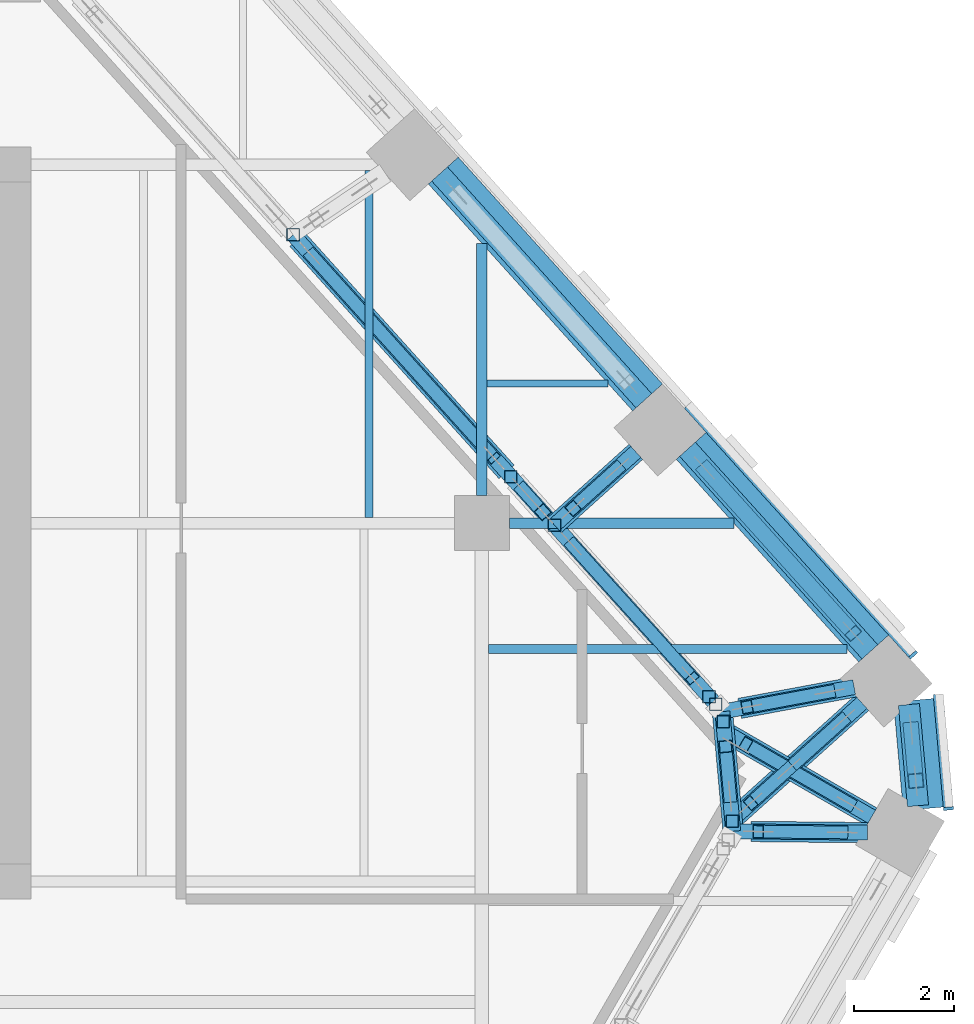
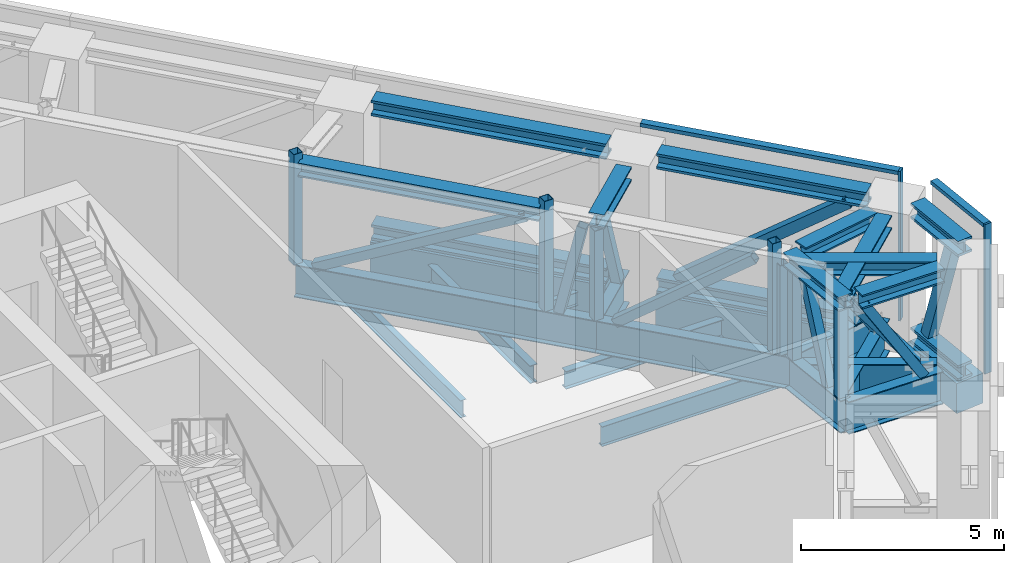
# One storey, part 12 of 26: 44 members, 8 beams, 2 elements without a shape of their own.
"""IFC4 building model written with IfcOpenShell, lengths in metres."""

from ifc_helpers import new_model, si_unit, direction, frame, origin, origin_2d, place, context, subcontext, project, spatial, rectangle, hollow_rectangle, i_section, extrude, material, layer, layer_set, material_profile, profile_set, type_object, element, aggregate, save


model = new_model("IFC4")

# Units and contexts
model_context = context("Model", 3, precision=1e-05, world=origin(), true_north=direction((0.0, 1.0)))
body_context = subcontext(model_context, "Body", "Model", "MODEL_VIEW")
ifc_project = project(units=[si_unit("LENGTHUNIT", "METRE"), si_unit("AREAUNIT", "SQUARE_METRE"), si_unit("VOLUMEUNIT", "CUBIC_METRE"), si_unit("PLANEANGLEUNIT", "RADIAN"), si_unit("MASSUNIT", "GRAM", prefix="KILO")], contexts=[model_context])

# Site, building, storey
site_placement = place(None, origin())
site = spatial("IfcSite", under=ifc_project, at=site_placement, CompositionType="ELEMENT")
building_placement = place(site_placement, origin())
building = spatial("IfcBuilding", under=site, at=building_placement, Name="Isthmus Gate Tower", CompositionType="ELEMENT")
storey_placement = place(building_placement, frame((0.0, 0.0, 207.300048828125)))
storey = spatial("IfcBuildingStorey", under=building, at=storey_placement, Name="L52", CompositionType="ELEMENT", Elevation=207.300048828125)

# Members
ifc_material_1 = material(Name="Structural steel ASTM A913 Gr 65", Category="steel")
ifc_material_profile_1 = material_profile(ifc_material_1, i_section(OverallWidth=0.42236328125, OverallDepth=0.46337890625, WebThickness=0.04443359375, FlangeThickness=0.072998046875, at=origin_2d()), Name="W14X398")
ifc_profile_set_1 = profile_set([ifc_material_profile_1], Name="Structural steel ASTM A913 Gr 65")
member_type_1 = type_object("IfcMemberType", Name="BELT TRUSS CHORD W14X398", PredefinedType="CHORD", material=ifc_profile_set_1)
for number, where, z_axis, x_axis, name in (
    (1, (23.156005859375, 14.46630859375, 0.231689453125), (0.669119737495, -0.743154611703, 0.0), (0.743154611703, 0.669119737495, 0.0), "str-belt03-L52-01"),
    (2, (23.156005859375, 14.46630859375, 3.96826171875), (0.669119737495, -0.743154611703, 0.0), (0.743154611703, 0.669119737495, 0.0), "str-belt03-L52-02"),
):
    element("IfcMember", number, at=place(storey_placement, frame(where, z_axis=z_axis, x_axis=x_axis)), inside=storey, type_object=member_type_1, Name=name, PredefinedType="CHORD", context=body_context, shape_type="SweptSolid", body=[
        extrude(i_section(OverallWidth=0.42236328125, OverallDepth=0.46337890625, WebThickness=0.04443359375, FlangeThickness=0.072998046875, at=origin_2d()), origin(), (0.0, 0.0, 1.0), 6.0908203125),
    ])
for number, where, z_axis, x_axis, name in (
    (3, (28.101318359375, 8.973876953125, 0.231689453125), (0.669140732593, -0.74313570765, 0.0), (0.74313570765, 0.669140732593, 0.0), "str-belt04-L52-01"),
    (4, (28.101318359375, 8.973876953125, 3.96826171875), (0.669140732593, -0.74313570765, 0.0), (0.74313570765, 0.669140732593, 0.0), "str-belt04-L52-02"),
):
    element("IfcMember", number, at=place(storey_placement, frame(where, z_axis=z_axis, x_axis=x_axis)), inside=storey, type_object=member_type_1, Name=name, PredefinedType="CHORD", context=body_context, shape_type="SweptSolid", body=[
        extrude(i_section(OverallWidth=0.42236328125, OverallDepth=0.46337890625, WebThickness=0.04443359375, FlangeThickness=0.072998046875, at=origin_2d()), origin(), (0.0, 0.0, 1.0), 5.440673828125),
    ])
for number, where, z_axis, x_axis, name in (
    (5, (32.51904296875, 3.880859375, 0.231689453125), (0.089330774172, -0.996002014449, 0.0), (0.996002014449, 0.089330774172, 0.0), "str-belt05-L52-01"),
    (6, (32.51904296875, 3.880859375, 3.96826171875), (0.089330774172, -0.996002014449, 0.0), (0.996002014449, 0.089330774172, 0.0), "str-belt05-L52-02"),
):
    element("IfcMember", number, at=place(storey_placement, frame(where, z_axis=z_axis, x_axis=x_axis)), inside=storey, type_object=member_type_1, Name=name, PredefinedType="CHORD", context=body_context, shape_type="SweptSolid", body=[
        extrude(i_section(OverallWidth=0.42236328125, OverallDepth=0.46337890625, WebThickness=0.04443359375, FlangeThickness=0.072998046875, at=origin_2d()), origin(), (0.0, 0.0, 1.0), 2.02783203125),
    ])

# Curtain wall, member
ifc_material_2 = material(Name="Aluminium, pale champagne anodised", Category="aluminium")
ifc_layer = layer(ifc_material_2, 0.199951171875)
ifc_layer_set = layer_set([ifc_layer], Name="CW-2 LOUVRE CURTAIN WALL 200 DEEP")
curtain_wall_type = type_object("IfcCurtainWallType", Name="CW-2 LOUVRE CURTAIN WALL 200 DEEP", PredefinedType="NOTDEFINED", material=ifc_layer_set)
curtain_wall_1_placement = place(storey_placement, origin())
curtain_wall_1 = element("IfcCurtainWall", 7, at=curtain_wall_1_placement, inside=storey, type_object=curtain_wall_type, Name="CW-2 SE-NE L52", PredefinedType="NOTDEFINED")
ifc_material_3 = material(Name="Aluminium, pale champagne anodised", Category="aluminium")
ifc_material_profile_2 = material_profile(ifc_material_3, rectangle(XDim=0.06005859375, YDim=0.199951171875, at=origin_2d()), Name="60x200")
ifc_profile_set_2 = profile_set([ifc_material_profile_2], Name="Aluminium, pale champagne anodised")
member_type_2 = type_object("IfcMemberType", Name="CW-2 MULLION 60 X 200", PredefinedType="MULLION", material=ifc_profile_set_2)
member_1_placement = place(storey_placement, frame((33.307861328125, 1.804443359375, 0.0), z_axis=(0.0, 0.0, 1.0), x_axis=(-0.089396669717, 0.995996102123, 0.0)))
member_1 = element("IfcMember", 8, at=member_1_placement, type_object=member_type_2, Name="CW-2 mullion", PredefinedType="MULLION", context=body_context, shape_type="SweptSolid", body=[
    extrude(rectangle(XDim=0.06005859375, YDim=0.199951171875, at=origin_2d()), origin(), (0.0, 0.0, 1.0), 4.5),
])

curtain_wall_2_placement = place(storey_placement, origin())
curtain_wall_2 = element("IfcCurtainWall", 9, at=curtain_wall_2_placement, inside=storey, type_object=curtain_wall_type, Name="CW-2 NE L52", PredefinedType="NOTDEFINED")
member_2_placement = place(storey_placement, frame((32.602783203125, 4.871337890625, 0.0), z_axis=(0.0, 0.0, 1.0), x_axis=(-0.669130606359, 0.743144825477, 0.0)))
member_2 = element("IfcMember", 10, at=member_2_placement, type_object=member_type_2, Name="CW-2 mullion", PredefinedType="MULLION", context=body_context, shape_type="SweptSolid", body=[
    extrude(rectangle(XDim=0.06005859375, YDim=0.199951171875, at=origin_2d()), origin(), (0.0, 0.0, 1.0), 4.5),
])

# Member
ifc_material_4 = material(Name="Aluminium, pale champagne anodised", Category="aluminium")
ifc_material_profile_3 = material_profile(ifc_material_4, rectangle(XDim=0.199951171875, YDim=0.110107421875, at=origin_2d()), Name="200x110")
ifc_profile_set_3 = profile_set([ifc_material_profile_3], Name="Aluminium, pale champagne anodised")
member_type_3 = type_object("IfcMemberType", Name="CW-2 TRANSOM 200 X 110", PredefinedType="USERDEFINED", material=ifc_profile_set_3)
member_3_placement = place(storey_placement, frame((33.30517578125, 1.83447265625, 4.445068359375), z_axis=(-0.089395362867, 0.995996219419, 0.0), x_axis=(-0.995996219419, -0.089395362867, 0.0)))
member_3 = element("IfcMember", 11, at=member_3_placement, type_object=member_type_3, Name="CW-2 transom", ObjectType="TRANSOM", PredefinedType="USERDEFINED", context=body_context, shape_type="SweptSolid", body=[
    extrude(rectangle(XDim=0.199951171875, YDim=0.110107421875, at=origin_2d()), origin(), (0.0, 0.0, 1.0), 2.258544921875),
])

aggregate(curtain_wall_1, [member_1, member_3])

member_4_placement = place(storey_placement, frame((32.582763671875, 4.8935546875, 4.445068359375), z_axis=(-0.669138342957, 0.74313785934, 0.0), x_axis=(-0.74313785934, -0.669138342957, 0.0)))
member_4 = element("IfcMember", 12, at=member_4_placement, type_object=member_type_3, Name="CW-2 transom", ObjectType="TRANSOM", PredefinedType="USERDEFINED", context=body_context, shape_type="SweptSolid", body=[
    extrude(rectangle(XDim=0.199951171875, YDim=0.110107421875, at=origin_2d()), origin(), (0.0, 0.0, 1.0), 6.680908203125),
])

aggregate(curtain_wall_2, [member_2, member_4])

# Beams
ifc_material_5 = material(Name="Concrete f'c 60 MPa", Category="concrete")
ifc_material_profile_4 = material_profile(ifc_material_5, rectangle(XDim=0.800048828125, YDim=0.89990234375, at=origin_2d()), Name="RC 800X900")
ifc_profile_set_4 = profile_set([ifc_material_profile_4], Name="Concrete f'c 60 MPa")
beam_type_1 = type_object("IfcBeamType", Name="RC SPANDREL 800 X 900", PredefinedType="SPANDREL", material=ifc_profile_set_4)
beam_1_placement = place(storey_placement, frame((23.230224609375, 14.533203125, -0.449951171875), z_axis=(0.669141874065, -0.743134679835, 0.0), x_axis=(0.743134679835, 0.669141874065, 0.0)))
element("IfcBeam", 13, at=beam_1_placement, inside=storey, type_object=beam_type_1, Name="str-spandrel-L52-03", PredefinedType="SPANDREL", context=body_context, shape_type="SweptSolid", body=[
    extrude(rectangle(XDim=0.800048828125, YDim=0.89990234375, at=origin_2d()), origin(), (0.0, 0.0, 1.0), 6.0908203125),
])
beam_2_placement = place(storey_placement, frame((28.17578125, 9.040771484375, -0.449951171875), z_axis=(0.669140732593, -0.74313570765, 0.0), x_axis=(0.74313570765, 0.669140732593, 0.0)))
element("IfcBeam", 14, at=beam_2_placement, inside=storey, type_object=beam_type_1, Name="str-spandrel-L52-04", PredefinedType="SPANDREL", context=body_context, shape_type="SweptSolid", body=[
    extrude(rectangle(XDim=0.800048828125, YDim=0.89990234375, at=origin_2d()), origin(), (0.0, 0.0, 1.0), 5.440673828125),
])
beam_3_placement = place(storey_placement, frame((32.61181640625, 3.964599609375, -0.449951171875), z_axis=(0.089421511639, -0.995993872098, 0.0), x_axis=(0.995993872098, 0.089421511639, 0.0)))
element("IfcBeam", 15, at=beam_3_placement, inside=storey, type_object=beam_type_1, Name="str-spandrel-L52-05", PredefinedType="SPANDREL", context=body_context, shape_type="SweptSolid", body=[
    extrude(rectangle(XDim=0.800048828125, YDim=0.89990234375, at=origin_2d()), origin(), (0.0, 0.0, 1.0), 2.17333984375),
])
ifc_material_6 = material(Name="Structural steel ASTM A992 Gr 50", Category="steel")
ifc_material_profile_5 = material_profile(ifc_material_6, i_section(OverallWidth=0.1396484375, OverallDepth=0.4033203125, WebThickness=0.00634765625, FlangeThickness=0.010986328125, at=origin_2d()), Name="W16X31")
ifc_profile_set_5 = profile_set([ifc_material_profile_5], Name="Structural steel ASTM A992 Gr 50")
beam_type_2 = type_object("IfcBeamType", Name="STEEL FLOOR BEAM W16X31", PredefinedType="JOIST", material=ifc_profile_set_5)
beam_4_placement = place(storey_placement, frame((24.104736328125, 10.284423828125, -0.501708984375), z_axis=(1.0, 0.0, 0.0), x_axis=(0.0, 1.0, 0.0)))
element("IfcBeam", 16, at=beam_4_placement, inside=storey, type_object=beam_type_2, Name="str-beam-L52-15-00", PredefinedType="JOIST", context=body_context, shape_type="SweptSolid", body=[
    extrude(i_section(OverallWidth=0.1396484375, OverallDepth=0.4033203125, WebThickness=0.00634765625, FlangeThickness=0.010986328125, at=origin_2d()), origin(), (0.0, 0.0, 1.0), 2.412841796875),
])
ifc_material_7 = material(Name="Structural steel ASTM A992 Gr 50", Category="steel")
ifc_material_profile_6 = material_profile(ifc_material_7, i_section(OverallWidth=0.1650390625, OverallDepth=0.52392578125, WebThickness=0.009521484375, FlangeThickness=0.010986328125, at=origin_2d()), Name="W21X44")
ifc_profile_set_6 = profile_set([ifc_material_profile_6], Name="Structural steel ASTM A992 Gr 50")
beam_type_3 = type_object("IfcBeamType", Name="STEEL FLOOR BEAM W21X44", PredefinedType="JOIST", material=ifc_profile_set_6)
beam_5_placement = place(storey_placement, frame((21.75, 7.6142578125, -0.56201171875), z_axis=(0.0, 1.0, 0.0), x_axis=(-1.0, 0.0, 0.0)))
element("IfcBeam", 17, at=beam_5_placement, inside=storey, type_object=beam_type_3, Name="str-beam-L52-13-01", PredefinedType="JOIST", context=body_context, shape_type="SweptSolid", body=[
    extrude(i_section(OverallWidth=0.1650390625, OverallDepth=0.52392578125, WebThickness=0.009521484375, FlangeThickness=0.010986328125, at=origin_2d()), origin(), (0.0, 0.0, 1.0), 6.92138671875),
])
ifc_material_8 = material(Name="Structural steel ASTM A992 Gr 50", Category="steel")
ifc_material_profile_7 = material_profile(ifc_material_8, i_section(OverallWidth=0.177734375, OverallDepth=0.60009765625, WebThickness=0.009521484375, FlangeThickness=0.0126953125, at=origin_2d()), Name="W24X55")
ifc_profile_set_7 = profile_set([ifc_material_profile_7], Name="Structural steel ASTM A992 Gr 50")
beam_type_4 = type_object("IfcBeamType", Name="STEEL FLOOR BEAM W24X55", PredefinedType="JOIST", material=ifc_profile_set_7)
beam_6_placement = place(storey_placement, frame((24.13330078125, 4.987548828125, -0.60009765625), z_axis=(1.0, 0.0, 0.0), x_axis=(0.0, 1.0, 0.0)))
element("IfcBeam", 18, at=beam_6_placement, inside=storey, type_object=beam_type_4, Name="str-beam-L52-16-02", PredefinedType="JOIST", context=body_context, shape_type="SweptSolid", body=[
    extrude(i_section(OverallWidth=0.177734375, OverallDepth=0.60009765625, WebThickness=0.009521484375, FlangeThickness=0.0126953125, at=origin_2d()), origin(), (0.0, 0.0, 1.0), 7.15380859375),
])
ifc_material_9 = material(Name="Structural steel ASTM A992 Gr 50", Category="steel")
ifc_material_profile_8 = material_profile(ifc_material_9, i_section(OverallWidth=0.20947265625, OverallDepth=0.533447265625, WebThickness=0.009521484375, FlangeThickness=0.015869140625, at=origin_2d()), Name="W21X62")
ifc_profile_set_8 = profile_set([ifc_material_profile_8], Name="Structural steel ASTM A992 Gr 50")
beam_type_5 = type_object("IfcBeamType", Name="STEEL GIRDER W21X62", PredefinedType="BEAM", material=ifc_profile_set_8)
beam_7_placement = place(storey_placement, frame((24.550048828125, 7.5, -0.566650390625), z_axis=(1.0, 0.0, 0.0), x_axis=(0.0, 1.0, 0.0)))
element("IfcBeam", 19, at=beam_7_placement, inside=storey, type_object=beam_type_5, Name="str-girder-L52-06", PredefinedType="BEAM", context=body_context, shape_type="SweptSolid", body=[
    extrude(i_section(OverallWidth=0.20947265625, OverallDepth=0.533447265625, WebThickness=0.009521484375, FlangeThickness=0.015869140625, at=origin_2d()), origin(), (0.0, 0.0, 1.0), 4.474853515625),
])
beam_8_placement = place(storey_placement, frame((24.0, 8.050048828125, -0.566650390625), z_axis=(0.0, 1.0, 0.0), x_axis=(-1.0, 0.0, 0.0)))
element("IfcBeam", 20, at=beam_8_placement, inside=storey, type_object=beam_type_5, Name="str-girder-L52-12", PredefinedType="BEAM", context=body_context, shape_type="SweptSolid", body=[
    extrude(i_section(OverallWidth=0.20947265625, OverallDepth=0.533447265625, WebThickness=0.009521484375, FlangeThickness=0.015869140625, at=origin_2d()), origin(), (0.0, 0.0, 1.0), 5.030517578125),
])

# Members
ifc_material_10 = material(Name="Structural steel ASTM A913 Gr 65", Category="steel")
ifc_material_profile_9 = material_profile(ifc_material_10, i_section(OverallWidth=0.406494140625, OverallDepth=0.416015625, WebThickness=0.0302734375, FlangeThickness=0.047607421875, at=origin_2d()), Name="W14X257")
ifc_profile_set_9 = profile_set([ifc_material_profile_9], Name="Structural steel ASTM A913 Gr 65")
member_type_4 = type_object("IfcMemberType", Name="TRANSFER TRUSS CHORD W14X257", PredefinedType="CHORD", material=ifc_profile_set_9)
member_5_placement = place(storey_placement, frame((20.318603515625, 13.157470703125, 3.89208984375), z_axis=(0.669133373124, -0.743142334262, 0.0), x_axis=(0.743142334262, 0.669133373124, 0.0)))
element("IfcMember", 21, at=member_5_placement, inside=storey, type_object=member_type_4, Name="str-ring01-L52-16", PredefinedType="CHORD", context=body_context, shape_type="SweptSolid", body=[
    extrude(i_section(OverallWidth=0.406494140625, OverallDepth=0.416015625, WebThickness=0.0302734375, FlangeThickness=0.047607421875, at=origin_2d()), origin(), (0.0, 0.0, 1.0), 6.238037109375),
])
member_6_placement = place(storey_placement, frame((28.798583984375, 3.739501953125, 3.89208984375), z_axis=(0.089415449646, -0.995994416332, 0.0), x_axis=(0.995994416332, 0.089415449646, 0.0)))
element("IfcMember", 22, at=member_6_placement, inside=storey, type_object=member_type_4, Name="str-ring02-L52-04", PredefinedType="CHORD", context=body_context, shape_type="SweptSolid", body=[
    extrude(i_section(OverallWidth=0.406494140625, OverallDepth=0.416015625, WebThickness=0.0302734375, FlangeThickness=0.047607421875, at=origin_2d()), origin(), (0.0, 0.0, 1.0), 2.397216796875),
])
member_7_placement = place(storey_placement, frame((31.77880859375, 1.642578125, 3.89208984375), z_axis=(-0.866007419912, 0.500031147688, 0.0), x_axis=(-0.500031147688, -0.866007419912, 0.0)))
element("IfcMember", 23, at=member_7_placement, inside=storey, type_object=member_type_4, Name="str-link24-L52-02", PredefinedType="CHORD", context=body_context, shape_type="SweptSolid", body=[
    extrude(i_section(OverallWidth=0.406494140625, OverallDepth=0.416015625, WebThickness=0.0302734375, FlangeThickness=0.047607421875, at=origin_2d()), origin(), (0.0, 0.0, 1.0), 3.400146484375),
])
member_8_placement = place(storey_placement, frame((31.58251953125, 3.912353515625, 3.89208984375), z_axis=(-0.7431582885, -0.669115653855, 0.0), x_axis=(0.669115653855, -0.7431582885, 0.0)))
element("IfcMember", 24, at=member_8_placement, inside=storey, type_object=member_type_4, Name="str-link25-L52-02", PredefinedType="CHORD", context=body_context, shape_type="SweptSolid", body=[
    extrude(i_section(OverallWidth=0.406494140625, OverallDepth=0.416015625, WebThickness=0.0302734375, FlangeThickness=0.047607421875, at=origin_2d()), origin(), (0.0, 0.0, 1.0), 3.4853515625),
])
member_9_placement = place(storey_placement, frame((27.072021484375, 8.921630859375, 3.89208984375), z_axis=(-0.743182996589, -0.669088210613, 0.0), x_axis=(0.669088210613, -0.743182996589, 0.0)))
element("IfcMember", 25, at=member_9_placement, inside=storey, type_object=member_type_4, Name="str-link26-L52-02", PredefinedType="CHORD", context=body_context, shape_type="SweptSolid", body=[
    extrude(i_section(OverallWidth=0.406494140625, OverallDepth=0.416015625, WebThickness=0.0302734375, FlangeThickness=0.047607421875, at=origin_2d()), origin(), (0.0, 0.0, 1.0), 2.1845703125),
])
member_10_placement = place(storey_placement, frame((31.426513671875, 4.228271484375, 3.89208984375), z_axis=(-0.983136645366, -0.182872459759, 0.0), x_axis=(0.182872459759, -0.983136645366, 0.0)))
element("IfcMember", 26, at=member_10_placement, inside=storey, type_object=member_type_4, Name="str-link32-L52-02", PredefinedType="CHORD", context=body_context, shape_type="SweptSolid", body=[
    extrude(i_section(OverallWidth=0.406494140625, OverallDepth=0.416015625, WebThickness=0.0302734375, FlangeThickness=0.047607421875, at=origin_2d()), origin(), (0.0, 0.0, 1.0), 2.321533203125),
])
member_11_placement = place(storey_placement, frame((31.69189453125, 1.32421875, 3.89208984375), z_axis=(-0.999947030909, 0.010292491233, 0.0), x_axis=(-0.010292491233, -0.999947030909, 0.0)))
element("IfcMember", 27, at=member_11_placement, inside=storey, type_object=member_type_4, Name="str-link33-L52-02", PredefinedType="CHORD", context=body_context, shape_type="SweptSolid", body=[
    extrude(i_section(OverallWidth=0.406494140625, OverallDepth=0.416015625, WebThickness=0.0302734375, FlangeThickness=0.047607421875, at=origin_2d()), origin(), (0.0, 0.0, 1.0), 2.32470703125),
])
ifc_material_11 = material(Name="Structural steel ASTM A913 Gr 65", Category="steel")
ifc_material_profile_10 = material_profile(ifc_material_11, i_section(OverallWidth=0.29833984375, OverallDepth=0.981201171875, WebThickness=0.015869140625, FlangeThickness=0.025390625, at=origin_2d()), Name="W40X167")
ifc_profile_set_10 = profile_set([ifc_material_profile_10], Name="Structural steel ASTM A913 Gr 65")
member_type_5 = type_object("IfcMemberType", Name="TRANSFER TRUSS CHORD W40X167", PredefinedType="CHORD", material=ifc_profile_set_10)
member_12_placement = place(storey_placement, frame((20.233642578125, 13.251708984375, 0.490478515625), z_axis=(0.669127396479, -0.743147715653, 0.0), x_axis=(0.743147715653, 0.669127396479, 0.0)))
element("IfcMember", 28, at=member_12_placement, inside=storey, type_object=member_type_5, Name="str-ring01-L52-11", PredefinedType="CHORD", context=body_context, shape_type="SweptSolid", body=[
    extrude(i_section(OverallWidth=0.29833984375, OverallDepth=0.981201171875, WebThickness=0.015869140625, FlangeThickness=0.025390625, at=origin_2d()), origin(), (0.0, 0.0, 1.0), 7.7939453125),
])
member_13_placement = place(storey_placement, frame((25.44873046875, 7.459716796875, 0.490478515625), z_axis=(0.669147928698, -0.743129228008, 0.0), x_axis=(0.743129228008, 0.669147928698, 0.0)))
element("IfcMember", 29, at=member_13_placement, inside=storey, type_object=member_type_5, Name="str-ring01-L52-12", PredefinedType="CHORD", context=body_context, shape_type="SweptSolid", body=[
    extrude(i_section(OverallWidth=0.29833984375, OverallDepth=0.981201171875, WebThickness=0.015869140625, FlangeThickness=0.025390625, at=origin_2d()), origin(), (0.0, 0.0, 1.0), 5.006103515625),
])
member_14_placement = place(storey_placement, frame((28.798583984375, 3.739501953125, 0.490478515625), z_axis=(0.089415449646, -0.995994416332, 0.0), x_axis=(0.995994416332, 0.089415449646, 0.0)))
element("IfcMember", 30, at=member_14_placement, inside=storey, type_object=member_type_5, Name="str-ring02-L52-03", PredefinedType="CHORD", context=body_context, shape_type="SweptSolid", body=[
    extrude(i_section(OverallWidth=0.29833984375, OverallDepth=0.981201171875, WebThickness=0.015869140625, FlangeThickness=0.025390625, at=origin_2d()), origin(), (0.0, 0.0, 1.0), 2.397216796875),
])
member_15_placement = place(storey_placement, frame((31.77880859375, 1.642578125, 0.490478515625), z_axis=(-0.866007419912, 0.500031147688, 0.0), x_axis=(-0.500031147688, -0.866007419912, 0.0)))
element("IfcMember", 31, at=member_15_placement, inside=storey, type_object=member_type_5, Name="str-link24-L52-01", PredefinedType="CHORD", context=body_context, shape_type="SweptSolid", body=[
    extrude(i_section(OverallWidth=0.29833984375, OverallDepth=0.981201171875, WebThickness=0.015869140625, FlangeThickness=0.025390625, at=origin_2d()), origin(), (0.0, 0.0, 1.0), 3.400146484375),
])
member_16_placement = place(storey_placement, frame((31.58251953125, 3.912353515625, 0.490478515625), z_axis=(-0.7431582885, -0.669115653855, 0.0), x_axis=(0.669115653855, -0.7431582885, 0.0)))
element("IfcMember", 32, at=member_16_placement, inside=storey, type_object=member_type_5, Name="str-link25-L52-01", PredefinedType="CHORD", context=body_context, shape_type="SweptSolid", body=[
    extrude(i_section(OverallWidth=0.29833984375, OverallDepth=0.981201171875, WebThickness=0.015869140625, FlangeThickness=0.025390625, at=origin_2d()), origin(), (0.0, 0.0, 1.0), 3.4853515625),
])
member_17_placement = place(storey_placement, frame((27.072021484375, 8.921630859375, 0.490478515625), z_axis=(-0.743182996589, -0.669088210613, 0.0), x_axis=(0.669088210613, -0.743182996589, 0.0)))
element("IfcMember", 33, at=member_17_placement, inside=storey, type_object=member_type_5, Name="str-link26-L52-01", PredefinedType="CHORD", context=body_context, shape_type="SweptSolid", body=[
    extrude(i_section(OverallWidth=0.29833984375, OverallDepth=0.981201171875, WebThickness=0.015869140625, FlangeThickness=0.025390625, at=origin_2d()), origin(), (0.0, 0.0, 1.0), 2.1845703125),
])
member_18_placement = place(storey_placement, frame((31.426513671875, 4.228271484375, 0.490478515625), z_axis=(-0.983139978967, -0.182854537151, 0.0), x_axis=(0.182854537151, -0.983139978967, 0.0)))
element("IfcMember", 34, at=member_18_placement, inside=storey, type_object=member_type_5, Name="str-link32-L52-01", PredefinedType="CHORD", context=body_context, shape_type="SweptSolid", body=[
    extrude(i_section(OverallWidth=0.29833984375, OverallDepth=0.981201171875, WebThickness=0.015869140625, FlangeThickness=0.025390625, at=origin_2d()), origin(), (0.0, 0.0, 1.0), 2.673095703125),
])
member_19_placement = place(storey_placement, frame((31.69189453125, 1.32421875, 0.490478515625), z_axis=(-0.999946979772, 0.01029745819, 0.0), x_axis=(-0.01029745819, -0.999946979772, 0.0)))
element("IfcMember", 35, at=member_19_placement, inside=storey, type_object=member_type_5, Name="str-link33-L52-01", PredefinedType="CHORD", context=body_context, shape_type="SweptSolid", body=[
    extrude(i_section(OverallWidth=0.29833984375, OverallDepth=0.981201171875, WebThickness=0.015869140625, FlangeThickness=0.025390625, at=origin_2d()), origin(), (0.0, 0.0, 1.0), 2.67919921875),
])
ifc_material_12 = material(Name="Structural steel ASTM A500 Gr C", Category="steel")
ifc_material_profile_11 = material_profile(ifc_material_12, hollow_rectangle(XDim=0.25390625, YDim=0.25390625, WallThickness=0.01171875, at=origin_2d()), Name="HSS10X10X1/2")
ifc_profile_set_11 = profile_set([ifc_material_profile_11], Name="Structural steel ASTM A500 Gr C")
member_type_6 = type_object("IfcMemberType", Name="TRANSFER TRUSS DIAGONAL HSS10X10X1/2", PredefinedType="BRACE", material=ifc_profile_set_11)
member_20_placement = place(storey_placement, frame((20.568115234375, 12.880126953125, 0.98095703125), z_axis=(0.600374209157, -0.666741224638, 0.441595910701), x_axis=(0.743123922972, 0.669153820213, 0.0)))
element("IfcMember", 36, at=member_20_placement, inside=storey, type_object=member_type_6, Name="str-ring01-L52-21", PredefinedType="BRACE", context=body_context, shape_type="SweptSolid", body=[
    extrude(hollow_rectangle(XDim=0.25390625, YDim=0.25390625, WallThickness=0.01171875, at=origin_2d()), origin(), (0.0, 0.0, 1.0), 6.121337890625),
])
member_21_placement = place(storey_placement, frame((24.8125, 8.16650390625, 0.98095703125), z_axis=(0.144954243351, -0.161089660951, 0.9762368506), x_axis=(0.743354836776, 0.668897291549, 0.0)))
element("IfcMember", 37, at=member_21_placement, inside=storey, type_object=member_type_6, Name="str-ring01-L52-22", PredefinedType="BRACE", context=body_context, shape_type="SweptSolid", body=[
    extrude(hollow_rectangle(XDim=0.25390625, YDim=0.25390625, WallThickness=0.01171875, at=origin_2d()), origin(), (0.0, 0.0, 1.0), 2.76904296875),
])
member_22_placement = place(storey_placement, frame((25.783447265625, 7.088134765625, 0.98095703125), z_axis=(0.535402181164, -0.594614422792, 0.59981513203), x_axis=(0.743139263256, 0.669136783779, 0.0)))
element("IfcMember", 38, at=member_22_placement, inside=storey, type_object=member_type_6, Name="str-ring01-L52-23", PredefinedType="BRACE", context=body_context, shape_type="SweptSolid", body=[
    extrude(hollow_rectangle(XDim=0.25390625, YDim=0.25390625, WallThickness=0.01171875, at=origin_2d()), origin(), (0.0, 0.0, 1.0), 4.506591796875),
])
member_23_placement = place(storey_placement, frame((28.9501953125, 2.04931640625, 0.98095703125), z_axis=(-0.030929660305, 0.344632680714, 0.938227942185), x_axis=(-0.995996926975, -0.089387479308, 0.0)))
element("IfcMember", 39, at=member_23_placement, inside=storey, type_object=member_type_6, Name="str-ring02-L52-05", PredefinedType="BRACE", context=body_context, shape_type="SweptSolid", body=[
    extrude(hollow_rectangle(XDim=0.25390625, YDim=0.25390625, WallThickness=0.01171875, at=origin_2d()), origin(), (0.0, 0.0, 1.0), 2.881103515625),
])
member_24_placement = place(storey_placement, frame((31.345947265625, 1.892578125, 0.98095703125), z_axis=(-0.575002000335, 0.332007262585, 0.747759237457), x_axis=(-0.500033551112, -0.866006032174, 0.0)))
element("IfcMember", 40, at=member_24_placement, inside=storey, type_object=member_type_6, Name="str-link24-L52-03", PredefinedType="BRACE", context=body_context, shape_type="SweptSolid", body=[
    extrude(hollow_rectangle(XDim=0.25390625, YDim=0.25390625, WallThickness=0.01171875, at=origin_2d()), origin(), (0.0, 0.0, 1.0), 3.614990234375),
])
member_25_placement = place(storey_placement, frame((31.2109375, 3.57763671875, 0.98095703125), z_axis=(-0.502961233982, -0.45281194409, 0.736200611519), x_axis=(0.669084592715, -0.743186253769, 0.0)))
element("IfcMember", 41, at=member_25_placement, inside=storey, type_object=member_type_6, Name="str-link25-L52-03", PredefinedType="BRACE", context=body_context, shape_type="SweptSolid", body=[
    extrude(hollow_rectangle(XDim=0.25390625, YDim=0.25390625, WallThickness=0.01171875, at=origin_2d()), origin(), (0.0, 0.0, 1.0), 2.16162109375),
])
member_26_placement = place(storey_placement, frame((26.700439453125, 8.587158203125, 0.98095703125), z_axis=(-0.298296366256, -0.268599085201, 0.915900545533), x_axis=(0.669146883091, -0.743130169519, 0.0)))
element("IfcMember", 42, at=member_26_placement, inside=storey, type_object=member_type_6, Name="str-link26-L52-03", PredefinedType="BRACE", context=body_context, shape_type="SweptSolid", body=[
    extrude(hollow_rectangle(XDim=0.25390625, YDim=0.25390625, WallThickness=0.01171875, at=origin_2d()), origin(), (0.0, 0.0, 1.0), 2.951416015625),
])
member_27_placement = place(storey_placement, frame((30.934814453125, 4.136962890625, 0.98095703125), z_axis=(-0.51733502934, -0.096309104334, 0.850346414022), x_axis=(0.183019455387, -0.983109291457, 0.0)))
element("IfcMember", 43, at=member_27_placement, inside=storey, type_object=member_type_6, Name="str-link32-L52-03", PredefinedType="BRACE", context=body_context, shape_type="SweptSolid", body=[
    extrude(hollow_rectangle(XDim=0.25390625, YDim=0.25390625, WallThickness=0.01171875, at=origin_2d()), origin(), (0.0, 0.0, 1.0), 3.178955078125),
])
member_28_placement = place(storey_placement, frame((31.19189453125, 1.329345703125, 0.98095703125), z_axis=(-0.527616657403, 0.00544725646, 0.849465120077), x_axis=(-0.010323719113, -0.999946708992, 0.0)))
element("IfcMember", 44, at=member_28_placement, inside=storey, type_object=member_type_6, Name="str-link33-L52-03", PredefinedType="BRACE", context=body_context, shape_type="SweptSolid", body=[
    extrude(hollow_rectangle(XDim=0.25390625, YDim=0.25390625, WallThickness=0.01171875, at=origin_2d()), origin(), (0.0, 0.0, 1.0), 3.18212890625),
])
member_29_placement = place(storey_placement, frame((30.123779296875, 2.598876953125, 2.572265625), z_axis=(-0.503018427106, -0.45291055037, 0.736100873085), x_axis=(0.669123038176, -0.74315163983, 0.0)))
element("IfcMember", 45, at=member_29_placement, inside=storey, type_object=member_type_6, Name="str-link25-L52-03b", PredefinedType="BRACE", context=body_context, shape_type="SweptSolid", body=[
    extrude(hollow_rectangle(XDim=0.25390625, YDim=0.25390625, WallThickness=0.01171875, at=origin_2d()), origin(), (0.0, 0.0, 1.0), 1.510498046875),
])
ifc_material_13 = material(Name="Structural steel ASTM A500 Gr C", Category="steel")
ifc_material_profile_12 = material_profile(ifc_material_13, hollow_rectangle(XDim=0.25390625, YDim=0.25390625, WallThickness=0.01171875, at=origin_2d()), Name="HSS10X10X1/2")
ifc_profile_set_12 = profile_set([ifc_material_profile_12], Name="Structural steel ASTM A500 Gr C")
member_type_7 = type_object("IfcMemberType", Name="TRANSFER TRUSS POST HSS10X10X1/2", PredefinedType="POST", material=ifc_profile_set_12)
for number, where, z_axis, x_axis, name in (
    (46, (20.233642578125, 13.251708984375, 0.98095703125), (0.0, 0.0, 1.0), (1.0, 0.0, 0.0), "str-ring01-L52-04"),
    (47, (24.57763671875, 8.42724609375, 0.98095703125), (0.0, 0.0, 1.0), (1.0, 0.0, 0.0), "str-ring01-L52-05"),
):
    element("IfcMember", number, at=place(storey_placement, frame(where, z_axis=z_axis, x_axis=x_axis)), inside=storey, type_object=member_type_7, Name=name, PredefinedType="POST", context=body_context, shape_type="SweptSolid", body=[
        extrude(hollow_rectangle(XDim=0.25390625, YDim=0.25390625, WallThickness=0.01171875, at=origin_2d()), origin(), (0.0, 0.0, 1.0), 3.319091796875),
    ])
member_30_placement = place(storey_placement, frame((25.44873046875, 7.459716796875, 0.98095703125), z_axis=(0.0, 0.0, 1.0), x_axis=(1.0, 0.0, 0.0)))
element("IfcMember", 48, at=member_30_placement, inside=storey, type_object=member_type_7, Name="str-ring01-L52-06", PredefinedType="POST", context=body_context, shape_type="SweptSolid", body=[
    extrude(hollow_rectangle(XDim=0.25390625, YDim=0.25390625, WallThickness=0.01171875, at=origin_2d()), origin(), (0.0, 0.0, 1.0), 2.703125),
])
member_31_placement = place(storey_placement, frame((28.53076171875, 4.036865234375, 0.98095703125), z_axis=(0.0, 0.0, 1.0), x_axis=(1.0, 0.0, 0.0)))
element("IfcMember", 49, at=member_31_placement, inside=storey, type_object=member_type_7, Name="str-ring01-L52-07", PredefinedType="POST", context=body_context, shape_type="SweptSolid", body=[
    extrude(hollow_rectangle(XDim=0.25390625, YDim=0.25390625, WallThickness=0.01171875, at=origin_2d()), origin(), (0.0, 0.0, 1.0), 3.319091796875),
])
for number, where, z_axis, x_axis, name in (
    (50, (28.664794921875, 3.88818359375, 0.98095703125), (0.0, 0.0, 1.0), (1.0, 0.0, 0.0), "str-ring01-L52-08"),
    (51, (28.81640625, 3.540283203125, 0.98095703125), (0.0, 0.0, 1.0), (1.0, 0.0, 0.0), "str-ring02-L52-01"),
    (52, (28.9951171875, 1.55126953125, 0.98095703125), (0.0, 0.0, 1.0), (1.0, 0.0, 0.0), "str-ring02-L52-02"),
):
    element("IfcMember", number, at=place(storey_placement, frame(where, z_axis=z_axis, x_axis=x_axis)), inside=storey, type_object=member_type_7, Name=name, PredefinedType="POST", context=body_context, shape_type="SweptSolid", body=[
        extrude(hollow_rectangle(XDim=0.25390625, YDim=0.25390625, WallThickness=0.01171875, at=origin_2d()), origin(), (0.0, 0.0, 1.0), 2.703125),
    ])
ifc_material_14 = material(Name="Structural steel ASTM A500 Gr C", Category="steel")
ifc_material_profile_13 = material_profile(ifc_material_14, hollow_rectangle(XDim=0.3046875, YDim=0.3046875, WallThickness=0.014892578125, at=origin_2d()), Name="HSS12X12X5/8")
ifc_profile_set_13 = profile_set([ifc_material_profile_13], Name="Structural steel ASTM A500 Gr C")
member_type_8 = type_object("IfcMemberType", Name="TRUSS DIAGONAL HSS12X12X5/8", PredefinedType="BRACE", material=ifc_profile_set_13)
member_32_placement = place(storey_placement, frame((28.43603515625, 8.602294921875, 0.46337890625), z_axis=(0.538629374054, -0.598196799695, 0.593328733706), x_axis=(0.743138304316, 0.669137848771, 0.0)))
element("IfcMember", 53, at=member_32_placement, inside=storey, type_object=member_type_8, Name="str-belt04-L52-03", PredefinedType="BRACE", context=body_context, shape_type="SweptSolid", body=[
    extrude(hollow_rectangle(XDim=0.3046875, YDim=0.3046875, WallThickness=0.014892578125, at=origin_2d()), origin(), (0.0, 0.0, 1.0), 5.5166015625),
])
member_33_placement = place(storey_placement, frame((32.563720703125, 3.3828125, 0.46337890625), z_axis=(0.026756973008, -0.29838294634, 0.954071109367), x_axis=(0.996003439826, 0.089314880366, 0.0)))
element("IfcMember", 54, at=member_33_placement, inside=storey, type_object=member_type_8, Name="str-belt05-L52-03", PredefinedType="BRACE", context=body_context, shape_type="SweptSolid", body=[
    extrude(hollow_rectangle(XDim=0.3046875, YDim=0.3046875, WallThickness=0.014892578125, at=origin_2d()), origin(), (0.0, 0.0, 1.0), 3.4306640625),
])

save(model, "model.ifc")
